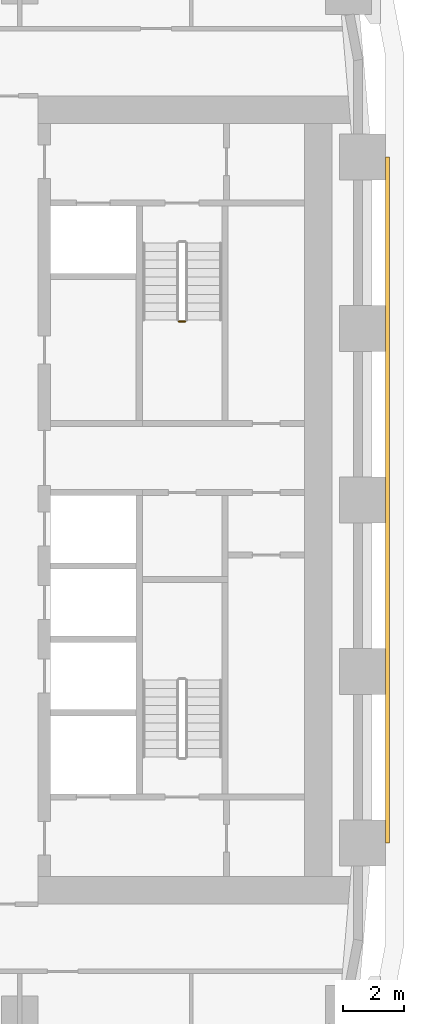
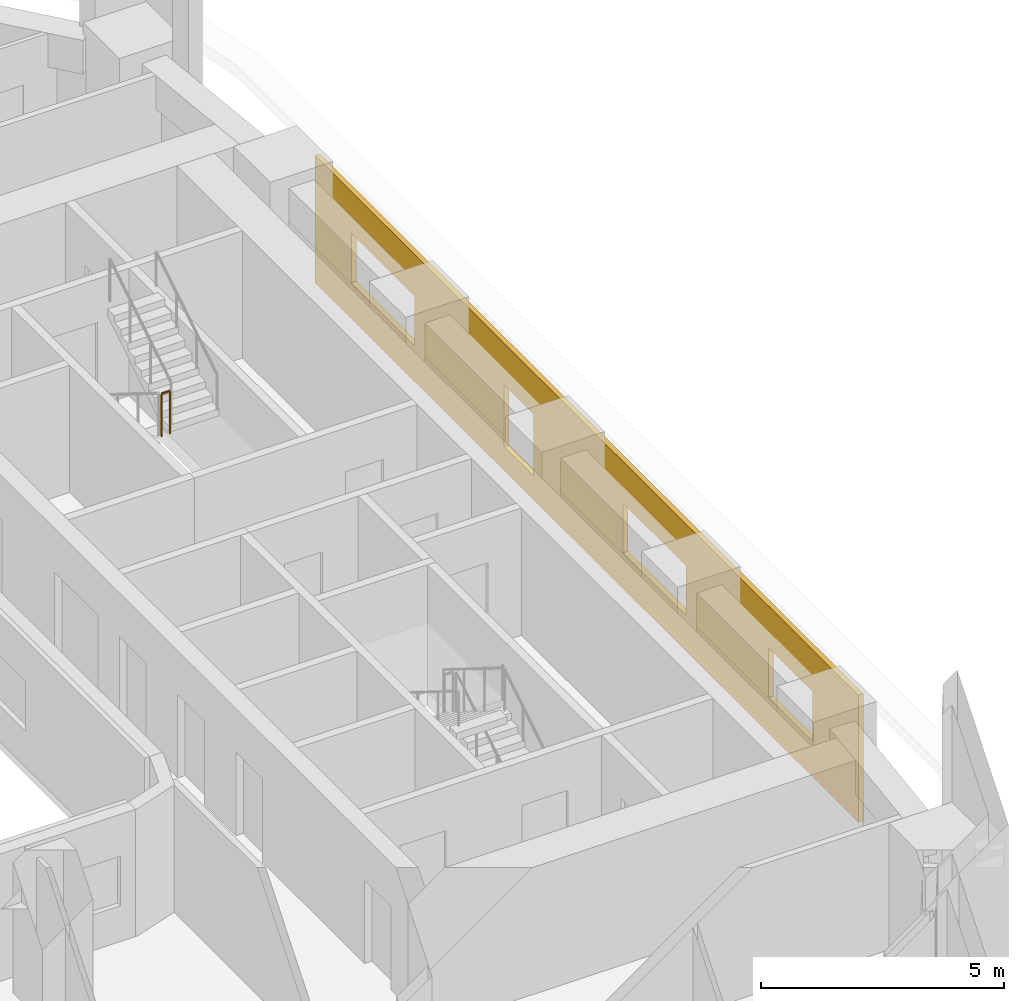
# One storey, part 18 of 21: 1 covering, 1 railing.
"""IFC4 building model written with IfcOpenShell, lengths in metres."""

import ifcopenshell
import ifcopenshell.guid

model = None  # the IFC model being written
_history = None  # IfcOwnerHistory: only IFC2X3 demands one
_inside = {}  # id of a spatial element -> (the spatial element, [elements in it])
_under = {}  # id of a project, library or spatial element -> (it, [spatial elements below it])
_declared = {}  # id of a project -> (the project, [libraries it declares])
_typed = {}  # id of a type object -> (the type object, [elements of that type])
_made_of = {}  # id of a material, layer set ... -> (it, [elements and type objects made of it])


def new_model(schema):
    """Start an empty IFC model of exactly this schema.

    Asked for "IFC4X3", IfcOpenShell would pick the latest addendum, in which some entities
    have other attributes; the version numbers below select the first issue.
    IFC2X3 requires an IfcOwnerHistory on every rooted entity: one is made here for all.
    """
    global model, _history
    if schema == "IFC4X3":
        model = ifcopenshell.file(schema_version=(4, 3, 0, 0))
    else:
        model = ifcopenshell.file(schema=schema)
    _inside.clear()
    _under.clear()
    _declared.clear()
    _typed.clear()
    _made_of.clear()
    _history = None
    if model.schema == "IFC2X3":
        org = make("IfcOrganization", Name="unknown")
        user = make(
            "IfcPersonAndOrganization",
            ThePerson=make("IfcPerson", FamilyName="unknown"),
            TheOrganization=org,
        )
        app = make(
            "IfcApplication",
            ApplicationDeveloper=org,
            Version="unknown",
            ApplicationFullName="unknown",
            ApplicationIdentifier="unknown",
        )
        _history = make(
            "IfcOwnerHistory",
            OwningUser=user,
            OwningApplication=app,
            ChangeAction="ADDED",
            CreationDate=0,
        )
    return model


def make(cls, **values):
    """One entity of the class cls with the attributes given. An attribute that is None is left unset."""
    return model.create_entity(
        cls, **{name: value for name, value in values.items() if value is not None}
    )


def rooted(cls, **values):
    """An entity with a GlobalId (a new one), such as an element, a storey or a relation."""
    return make(cls, GlobalId=ifcopenshell.guid.new(), OwnerHistory=_history, **values)


def si_unit(unit_type, name, prefix=None):
    """IfcSIUnit, for example si_unit("LENGTHUNIT", "METRE", prefix="MILLI")."""
    return make("IfcSIUnit", UnitType=unit_type, Prefix=prefix, Name=name)


def assignment(units):
    """IfcUnitAssignment: the units of a project."""
    return None if units is None else make("IfcUnitAssignment", Units=units)


def point(xyz):
    """IfcCartesianPoint."""
    return None if xyz is None else make("IfcCartesianPoint", Coordinates=xyz)


def direction(xyz):
    """IfcDirection."""
    return None if xyz is None else make("IfcDirection", DirectionRatios=xyz)


def frame(location, z_axis=None, x_axis=None):
    """IfcAxis2Placement3D, a coordinate frame: its origin and axes. An axis left out is left unset."""
    return make(
        "IfcAxis2Placement3D",
        Location=point(location),
        Axis=direction(z_axis),
        RefDirection=direction(x_axis),
    )


def frame_2d(location, x_axis=None):
    """IfcAxis2Placement2D, a coordinate frame in the plane: its origin and x axis."""
    return make(
        "IfcAxis2Placement2D", Location=point(location), RefDirection=direction(x_axis)
    )


def origin():
    """The frame at (0, 0, 0) with its axes left unset."""
    return frame((0.0, 0.0, 0.0))


def origin_2d():
    """The frame at (0, 0) in the plane with its x axis left unset."""
    return frame_2d((0.0, 0.0))


def place(relative_to, where):
    """IfcLocalPlacement: puts the frame where relative to a parent placement (None: the world)."""
    return make(
        "IfcLocalPlacement", PlacementRelTo=relative_to, RelativePlacement=where
    )


def context(
    kind, dimensions, precision=None, world=None, true_north=None, identifier=None
):
    """IfcGeometricRepresentationContext, for example the 3D "Model" context."""
    return make(
        "IfcGeometricRepresentationContext",
        ContextIdentifier=identifier,
        ContextType=kind,
        CoordinateSpaceDimension=dimensions,
        Precision=precision,
        WorldCoordinateSystem=world,
        TrueNorth=true_north,
    )


def subcontext(parent, identifier, kind, view, scale=None):
    """IfcGeometricRepresentationSubContext, for example "Body" below "Model"."""
    return make(
        "IfcGeometricRepresentationSubContext",
        ContextIdentifier=identifier,
        ContextType=kind,
        ParentContext=parent,
        TargetScale=scale,
        TargetView=view,
    )


def project(units=None, contexts=None):
    """IfcProject with its units and contexts."""
    return rooted(
        "IfcProject",
        Name="project",
        RepresentationContexts=contexts,
        UnitsInContext=assignment(units),
    )


def spatial(cls, under=None, at=None, **own):
    """A site, building, storey or space (cls), placed at a placement, below another one or the project."""
    s = rooted(cls, ObjectPlacement=at, **own)
    if under is not None:
        _under.setdefault(under.id(), (under, []))[1].append(s)
    return s


def polyline(points):
    """IfcPolyline through the points."""
    return make("IfcPolyline", Points=[point(p) for p in points])


def profile(cls, at=None, kind="AREA", **sizes):
    """A parametric profile (cls). Its sizes go by their IFC names, for example OverallWidth=200.0."""
    return make(cls, ProfileType=kind, Position=at, **sizes)


def circle(**sizes):
    """IfcCircleProfileDef."""
    return profile("IfcCircleProfileDef", **sizes)


def outline(outer, holes=None, kind="AREA"):
    """IfcArbitraryClosedProfileDef: a profile drawn as a closed curve; with holes, ...WithVoids."""
    if holes is None:
        return make("IfcArbitraryClosedProfileDef", ProfileType=kind, OuterCurve=outer)
    return make(
        "IfcArbitraryProfileDefWithVoids",
        ProfileType=kind,
        OuterCurve=outer,
        InnerCurves=holes,
    )


def extrude(swept, where, along, depth):
    """IfcExtrudedAreaSolid: the profile swept, set in the frame where, extruded along a direction by depth."""
    return make(
        "IfcExtrudedAreaSolid",
        SweptArea=swept,
        Position=where,
        ExtrudedDirection=direction(along),
        Depth=depth,
    )


def shape(context_of_items, identifier, shape_type, items):
    """IfcShapeRepresentation: the items that make up one representation, for example the "Body"."""
    return make(
        "IfcShapeRepresentation",
        ContextOfItems=context_of_items,
        RepresentationIdentifier=identifier,
        RepresentationType=shape_type,
        Items=items,
    )


def material(Name=None, Category=None):
    """IfcMaterial."""
    return make("IfcMaterial", Name=Name, Category=Category)


def layer(
    of_material, thickness, ventilated=None, Name=None, Category=None, Priority=None
):
    """IfcMaterialLayer: one layer of a wall or slab, of a material (None: an air gap)."""
    return make(
        "IfcMaterialLayer",
        Material=of_material,
        LayerThickness=thickness,
        IsVentilated=ventilated,
        Name=Name,
        Category=Category,
        Priority=Priority,
    )


def layer_set(layers, Name=None):
    """IfcMaterialLayerSet."""
    return make("IfcMaterialLayerSet", MaterialLayers=layers, LayerSetName=Name)


def made_of(thing, what):
    """Note that an element or type object is made of a material, layer set ...; save() writes the relation."""
    if what is not None:
        _made_of.setdefault(what.id(), (what, []))[1].append(thing)
    return thing


def type_object(cls, material=None, **own):
    """A type object (cls), such as IfcWallType, which elements share."""
    return made_of(rooted(cls, **own), material)


def element(
    cls,
    number,
    at=None,
    inside=None,
    cuts=None,
    type_object=None,
    material=None,
    context=None,
    identifier="Body",
    shape_type=None,
    held_by="IfcProductDefinitionShape",
    body=None,
    shapes=None,
    **own,
):
    """One element of the class cls, such as IfcWall. Its Tag is "e" and its number.

    at: its placement. inside: the storey or other place that contains it. cuts: it is an
    opening in that element (IfcRelVoidsElement). A single representation is given by context,
    identifier, shape_type and body (its items); several are given by shapes. held_by: the class
    of the entity that holds the representations. save() writes the other relations.
    """
    e = rooted(cls, Tag="e%d" % number, ObjectPlacement=at, **own)
    if body is not None:
        shapes = [shape(context, identifier, shape_type, body)]
    if shapes is not None:
        e.Representation = make(held_by, Representations=shapes)
    if inside is not None:
        _inside.setdefault(inside.id(), (inside, []))[1].append(e)
    if cuts is not None:
        rooted(
            "IfcRelVoidsElement", RelatingBuildingElement=cuts, RelatedOpeningElement=e
        )
    if type_object is not None:
        _typed.setdefault(type_object.id(), (type_object, []))[1].append(e)
    return made_of(e, material)


def aggregate(whole, parts):
    """IfcRelAggregates: a whole, such as a stair, and the parts it consists of."""
    return rooted("IfcRelAggregates", RelatingObject=whole, RelatedObjects=parts)


def save(model, path):
    """Write the relations noted so far, then the file.

    IfcRelAggregates (storeys below a building ...), IfcRelContainedInSpatialStructure (elements
    in a storey), IfcRelDefinesByType, IfcRelAssociatesMaterial and IfcRelDeclares: one each for
    every whole, place, type object, material and project.
    """
    for whole, parts in _under.values():
        aggregate(whole, parts)
    for where, things in _inside.values():
        rooted(
            "IfcRelContainedInSpatialStructure",
            RelatedElements=things,
            RelatingStructure=where,
        )
    for kind, things in _typed.values():
        rooted("IfcRelDefinesByType", RelatedObjects=things, RelatingType=kind)
    for what, things in _made_of.values():
        rooted("IfcRelAssociatesMaterial", RelatedObjects=things, RelatingMaterial=what)
    for by, libraries in _declared.values():
        rooted("IfcRelDeclares", RelatingContext=by, RelatedDefinitions=libraries)
    model.write(path)


model = new_model("IFC4")

# Units and contexts
model_context = context("Model", 3, precision=1e-05, world=origin(), true_north=direction((0.0, 1.0)))
body_context = subcontext(model_context, "Body", "Model", "MODEL_VIEW")
ifc_project = project(units=[si_unit("LENGTHUNIT", "METRE"), si_unit("AREAUNIT", "SQUARE_METRE"), si_unit("VOLUMEUNIT", "CUBIC_METRE"), si_unit("PLANEANGLEUNIT", "RADIAN"), si_unit("MASSUNIT", "GRAM", prefix="KILO")], contexts=[model_context])

# Site, building, storey
site_placement = place(None, origin())
site = spatial("IfcSite", under=ifc_project, at=site_placement, CompositionType="ELEMENT")
building_placement = place(site_placement, origin())
building = spatial("IfcBuilding", under=site, at=building_placement, Name="Kiln Ring Residences", CompositionType="ELEMENT")
storey_placement = place(building_placement, frame((0.0, 0.0, 30.5)))
storey = spatial("IfcBuildingStorey", under=building, at=storey_placement, Name="L06", CompositionType="ELEMENT", Elevation=30.5)

# Railing
ifc_material_1 = material(Name="Stainless steel", Category="steel")
railing_type = type_object("IfcRailingType", Name="CORE-STAIR-GUARD", PredefinedType="GUARDRAIL", material=ifc_material_1)
railing_placement = place(storey_placement, frame((22.0, 5.830078125, 1.75)))
element("IfcRailing", 1, at=railing_placement, inside=storey, type_object=railing_type, Name="L06 E-STN stair guard 2", PredefinedType="GUARDRAIL", context=body_context, shape_type="SweptSolid", body=[
    extrude(circle(Radius=0.02392578125, at=origin_2d()), frame((0.0, 0.0, 1.076171875), z_axis=(1.0, 0.0, 0.0), x_axis=(0.0, 1.0, 0.0)), (0.0, 0.0, 1.0), 0.199951171875),
    extrude(circle(Radius=0.02099609375, at=origin_2d()), origin(), (0.0, 0.0, 1.0), 1.052001953125),
    extrude(circle(Radius=0.02099609375, at=origin_2d()), frame((0.199951171875, 0.0, 0.0)), (0.0, 0.0, 1.0), 1.052001953125),
])

# Covering
ifc_material_2 = material(Name="Brick masonry, dark clay brick", Category="masonry")
ifc_layer = layer(ifc_material_2, 0.1201171875)
ifc_layer_set = layer_set([ifc_layer], Name="RAINSCREEN PANEL 120")
covering_type = type_object("IfcCoveringType", Name="RAINSCREEN PANEL 120", PredefinedType="CLADDING", material=ifc_layer_set)
covering_placement = place(storey_placement, frame((28.81005859375, -11.199951171875, 0.0), z_axis=(0.0, 0.0, 1.0), x_axis=(0.0, 1.0, 0.0)))
element("IfcCovering", 2, at=covering_placement, inside=storey, type_object=covering_type, Name="RAINSCREEN L06", PredefinedType="CLADDING", context=body_context, shape_type="SweptSolid", body=[
    extrude(outline(polyline([(0.0, 0.0), (22.39990234375, 0.0), (22.39990234375, 3.199951171875), (0.0, 3.199951171875), (0.0, 0.0)]), holes=[polyline([(14.60009765625, 0.60009765625), (14.60009765625, 2.14990234375), (13.39990234375, 2.14990234375), (13.39990234375, 0.60009765625), (14.60009765625, 0.60009765625)]), polyline([(3.699951171875, 0.89990234375), (3.699951171875, 2.14990234375), (1.89990234375, 2.14990234375), (1.89990234375, 0.89990234375), (3.699951171875, 0.89990234375)]), polyline([(9.699951171875, 0.89990234375), (9.699951171875, 2.14990234375), (7.10009765625, 2.14990234375), (7.10009765625, 0.89990234375), (9.699951171875, 0.89990234375)]), polyline([(20.89990234375, 0.89990234375), (20.89990234375, 2.14990234375), (18.300048828125, 2.14990234375), (18.300048828125, 0.89990234375), (20.89990234375, 0.89990234375)])]), frame((0.0, 0.06005859375, 0.0), z_axis=(0.0, -1.0, 0.0), x_axis=(1.0, 0.0, 0.0)), (0.0, 0.0, 1.0), 0.1201171875),
])

save(model, "model.ifc")
